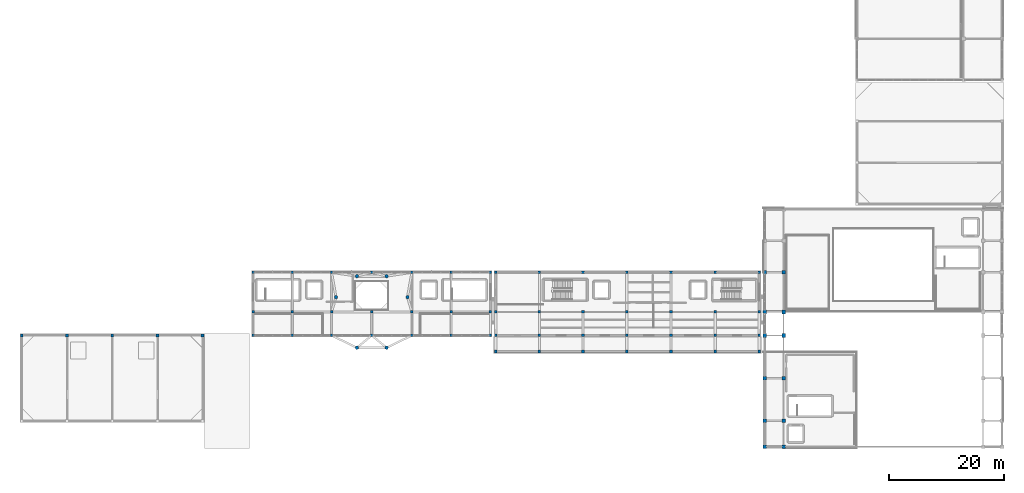
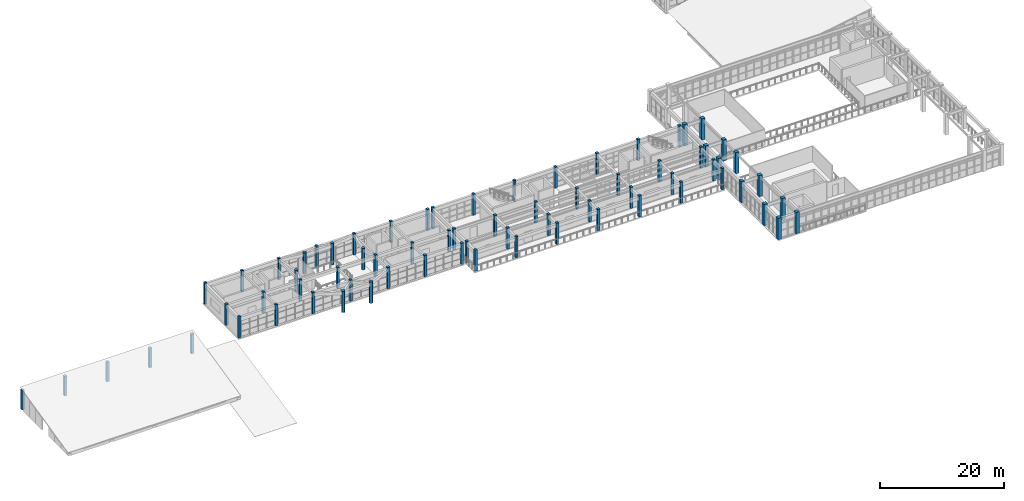
# One storey, part 1 of 66: 72 columns.
"""IFC4 building model written with IfcOpenShell, lengths in metres."""

from ifc_helpers import new_model, si_unit, direction, frame, origin, origin_2d, place, context, subcontext, project, spatial, rectangle, circle, extrude, material, material_profile, profile_set, type_object, element, save


model = new_model("IFC4")

# Units and contexts
model_context = context("Model", 3, precision=1e-05, world=origin(), true_north=direction((0.0, 1.0)))
body_context = subcontext(model_context, "Body", "Model", "MODEL_VIEW")
ifc_project = project(units=[si_unit("LENGTHUNIT", "METRE"), si_unit("AREAUNIT", "SQUARE_METRE"), si_unit("VOLUMEUNIT", "CUBIC_METRE"), si_unit("PLANEANGLEUNIT", "RADIAN"), si_unit("MASSUNIT", "GRAM", prefix="KILO")], contexts=[model_context])

# Site, building, storey
site_placement = place(None, origin())
site = spatial("IfcSite", under=ifc_project, at=site_placement, CompositionType="ELEMENT")
building_placement = place(site_placement, origin())
building = spatial("IfcBuilding", under=site, at=building_placement, Name="Candilejo Ridge Gondola Terminal", CompositionType="ELEMENT")
storey_placement = place(building_placement, frame((0.0, 0.0, 14.39990234375)))
storey = spatial("IfcBuildingStorey", under=building, at=storey_placement, Name="L03", CompositionType="ELEMENT", Elevation=14.39990234375)

# Columns
ifc_material_1 = material(Name="Concrete f'c 35 MPa (C35/45)", Category="concrete")
ifc_material_profile_1 = material_profile(ifc_material_1, rectangle(XDim=0.449951171875, YDim=0.449951171875, at=origin_2d()))
ifc_profile_set_1 = profile_set([ifc_material_profile_1], Name="Concrete f'c 35 MPa (C35/45)")
column_type_1 = type_object("IfcColumnType", Name="STR-COL-RC450", PredefinedType="COLUMN", material=ifc_profile_set_1)
for number, where, z_axis, x_axis, name in (
    (1, (44.64990234375, 25.699951171875, 0.0), (0.0, 0.0, 1.0), (1.0, 0.0, 0.0), "Column V2 L03 X07-Y05"),
    (2, (44.64990234375, 29.800048828125, 0.0), (0.0, 0.0, 1.0), (1.0, 0.0, 0.0), "Column V2 L03 X07-Y06"),
    (3, (44.64990234375, 36.699951171875, 0.0), (0.0, 0.0, 1.0), (1.0, 0.0, 0.0), "Column V2 L03 X07-Y07"),
    (4, (51.5, 25.699951171875, 0.0), (0.0, 0.0, 1.0), (1.0, 0.0, 0.0), "Column V2 L03 X08-Y05"),
    (5, (51.5, 29.800048828125, 0.0), (0.0, 0.0, 1.0), (1.0, 0.0, 0.0), "Column V2 L03 X08-Y06"),
    (6, (51.5, 36.699951171875, 0.0), (0.0, 0.0, 1.0), (1.0, 0.0, 0.0), "Column V2 L03 X08-Y07"),
    (7, (58.35009765625, 25.699951171875, 0.0), (0.0, 0.0, 1.0), (1.0, 0.0, 0.0), "Column V2 L03 X09-Y05"),
    (8, (58.35009765625, 29.800048828125, 0.0), (0.0, 0.0, 1.0), (1.0, 0.0, 0.0), "Column V2 L03 X09-Y06"),
    (9, (58.35009765625, 36.699951171875, 0.0), (0.0, 0.0, 1.0), (1.0, 0.0, 0.0), "Column V2 L03 X09-Y07"),
    (10, (65.35009765625, 25.699951171875, 0.0), (0.0, 0.0, 1.0), (1.0, 0.0, 0.0), "Column V2 L03 X10-Y05"),
    (11, (65.35009765625, 29.800048828125, 0.0), (0.0, 0.0, 1.0), (1.0, 0.0, 0.0), "Column V2 L03 X10-Y06"),
    (12, (65.35009765625, 36.699951171875, 0.0), (0.0, 0.0, 1.0), (1.0, 0.0, 0.0), "Column V2 L03 X10-Y07"),
    (13, (72.35009765625, 25.699951171875, 0.0), (0.0, 0.0, 1.0), (1.0, 0.0, 0.0), "Column V2 L03 X11-Y05"),
    (14, (72.35009765625, 29.800048828125, 0.0), (0.0, 0.0, 1.0), (1.0, 0.0, 0.0), "Column V2 L03 X11-Y06"),
    (15, (72.35009765625, 36.699951171875, 0.0), (0.0, 0.0, 1.0), (1.0, 0.0, 0.0), "Column V2 L03 X11-Y07"),
    (16, (79.199951171875, 25.699951171875, 0.0), (0.0, 0.0, 1.0), (1.0, 0.0, 0.0), "Column V2 L03 X12-Y05"),
    (17, (79.199951171875, 29.800048828125, 0.0), (0.0, 0.0, 1.0), (1.0, 0.0, 0.0), "Column V2 L03 X12-Y06"),
    (18, (79.199951171875, 36.699951171875, 0.0), (0.0, 0.0, 1.0), (1.0, 0.0, 0.0), "Column V2 L03 X12-Y07"),
    (19, (86.050048828125, 25.699951171875, 0.0), (0.0, 0.0, 1.0), (1.0, 0.0, 0.0), "Column V2 L03 X13-Y05"),
    (20, (86.050048828125, 29.800048828125, 0.0), (0.0, 0.0, 1.0), (1.0, 0.0, 0.0), "Column V2 L03 X13-Y06"),
    (21, (86.050048828125, 36.699951171875, 0.0), (0.0, 0.0, 1.0), (1.0, 0.0, 0.0), "Column V2 L03 X13-Y07"),
    (22, (87.0, 22.89990234375, 0.0), (0.0, 0.0, 1.0), (1.0, 0.0, 0.0), "Column V3 L03 X14-Y04"),
    (23, (87.0, 25.699951171875, 0.0), (0.0, 0.0, 1.0), (1.0, 0.0, 0.0), "Column V3 L03 X14-Y05"),
    (24, (87.0, 29.800048828125, 0.0), (0.0, 0.0, 1.0), (1.0, 0.0, 0.0), "Column V3 L03 X14-Y06"),
    (25, (87.0, 36.699951171875, 0.0), (0.0, 0.0, 1.0), (1.0, 0.0, 0.0), "Column V3 L03 X14-Y07"),
    (26, (94.60009765625, 22.89990234375, 0.0), (0.0, 0.0, 1.0), (1.0, 0.0, 0.0), "Column V3 L03 X15-Y04"),
    (27, (94.60009765625, 25.699951171875, 0.0), (0.0, 0.0, 1.0), (1.0, 0.0, 0.0), "Column V3 L03 X15-Y05"),
    (28, (94.60009765625, 29.800048828125, 0.0), (0.0, 0.0, 1.0), (1.0, 0.0, 0.0), "Column V3 L03 X15-Y06"),
    (29, (94.60009765625, 36.699951171875, 0.0), (0.0, 0.0, 1.0), (1.0, 0.0, 0.0), "Column V3 L03 X15-Y07"),
    (30, (102.199951171875, 22.89990234375, 0.0), (0.0, 0.0, 1.0), (1.0, 0.0, 0.0), "Column V3 L03 X16-Y04"),
    (31, (102.199951171875, 25.699951171875, 0.0), (0.0, 0.0, 1.0), (1.0, 0.0, 0.0), "Column V3 L03 X16-Y05"),
    (32, (102.199951171875, 29.800048828125, 0.0), (0.0, 0.0, 1.0), (1.0, 0.0, 0.0), "Column V3 L03 X16-Y06"),
    (33, (102.199951171875, 36.699951171875, 0.0), (0.0, 0.0, 1.0), (1.0, 0.0, 0.0), "Column V3 L03 X16-Y07"),
    (34, (109.85009765625, 22.89990234375, 0.0), (0.0, 0.0, 1.0), (1.0, 0.0, 0.0), "Column V3 L03 X17-Y04"),
    (35, (109.85009765625, 25.699951171875, 0.0), (0.0, 0.0, 1.0), (1.0, 0.0, 0.0), "Column V3 L03 X17-Y05"),
    (36, (109.85009765625, 29.800048828125, 0.0), (0.0, 0.0, 1.0), (1.0, 0.0, 0.0), "Column V3 L03 X17-Y06"),
    (37, (109.85009765625, 36.699951171875, 0.0), (0.0, 0.0, 1.0), (1.0, 0.0, 0.0), "Column V3 L03 X17-Y07"),
    (38, (117.550048828125, 22.89990234375, 0.0), (0.0, 0.0, 1.0), (1.0, 0.0, 0.0), "Column V3 L03 X18-Y04"),
    (39, (117.550048828125, 25.699951171875, 0.0), (0.0, 0.0, 1.0), (1.0, 0.0, 0.0), "Column V3 L03 X18-Y05"),
    (40, (117.550048828125, 29.800048828125, 0.0), (0.0, 0.0, 1.0), (1.0, 0.0, 0.0), "Column V3 L03 X18-Y06"),
    (41, (117.550048828125, 36.699951171875, 0.0), (0.0, 0.0, 1.0), (1.0, 0.0, 0.0), "Column V3 L03 X18-Y07"),
    (42, (125.25, 22.89990234375, 0.0), (0.0, 0.0, 1.0), (1.0, 0.0, 0.0), "Column V3 L03 X19-Y04"),
    (43, (125.25, 25.699951171875, 0.0), (0.0, 0.0, 1.0), (1.0, 0.0, 0.0), "Column V3 L03 X19-Y05"),
    (44, (125.25, 29.800048828125, 0.0), (0.0, 0.0, 1.0), (1.0, 0.0, 0.0), "Column V3 L03 X19-Y06"),
    (45, (125.25, 36.699951171875, 0.0), (0.0, 0.0, 1.0), (1.0, 0.0, 0.0), "Column V3 L03 X19-Y07"),
    (46, (132.949951171875, 22.89990234375, 0.0), (0.0, 0.0, 1.0), (1.0, 0.0, 0.0), "Column V3 L03 X20-Y04"),
    (47, (132.949951171875, 25.699951171875, 0.0), (0.0, 0.0, 1.0), (1.0, 0.0, 0.0), "Column V3 L03 X20-Y05"),
    (48, (132.949951171875, 29.800048828125, 0.0), (0.0, 0.0, 1.0), (1.0, 0.0, 0.0), "Column V3 L03 X20-Y06"),
    (49, (132.949951171875, 36.699951171875, 0.0), (0.0, 0.0, 1.0), (1.0, 0.0, 0.0), "Column V3 L03 X20-Y07"),
):
    element("IfcColumn", number, at=place(storey_placement, frame(where, z_axis=z_axis, x_axis=x_axis)), inside=storey, type_object=column_type_1, Name=name, PredefinedType="COLUMN", context=body_context, shape_type="SweptSolid", body=[
        extrude(rectangle(XDim=0.449951171875, YDim=0.449951171875, at=origin_2d()), origin(), (0.0, 0.0, 1.0), 4.2001953125),
    ])
ifc_material_2 = material(Name="Concrete f'c 35 MPa (C35/45)", Category="concrete")
ifc_material_profile_2 = material_profile(ifc_material_2, rectangle(XDim=0.5, YDim=0.5, at=origin_2d()))
ifc_profile_set_2 = profile_set([ifc_material_profile_2], Name="Concrete f'c 35 MPa (C35/45)")
column_type_2 = type_object("IfcColumnType", Name="STR-COL-RC500", PredefinedType="COLUMN", material=ifc_profile_set_2)
for number, where, z_axis, x_axis, name in (
    (50, (4.300048828125, 25.699951171875, 0.0), (0.0, 0.0, 1.0), (1.0, 0.0, 0.0), "Roof ridge column RF-V1-MAIN-01-N"),
    (51, (12.199951171875, 25.699951171875, 0.0), (0.0, 0.0, 1.0), (1.0, 0.0, 0.0), "Roof ridge column RF-V1-MAIN-02-N"),
    (52, (20.10009765625, 25.699951171875, 0.0), (0.0, 0.0, 1.0), (1.0, 0.0, 0.0), "Roof ridge column RF-V1-MAIN-03-N"),
    (53, (28.0, 25.699951171875, 0.0), (0.0, 0.0, 1.0), (1.0, 0.0, 0.0), "Roof ridge column RF-V1-MAIN-04-N"),
    (54, (35.85009765625, 25.699951171875, 0.0), (0.0, 0.0, 1.0), (1.0, 0.0, 0.0), "Roof ridge column RF-V1-MAIN-05-N"),
):
    element("IfcColumn", number, at=place(storey_placement, frame(where, z_axis=z_axis, x_axis=x_axis)), inside=storey, type_object=column_type_2, Name=name, PredefinedType="COLUMN", context=body_context, shape_type="SweptSolid", body=[
        extrude(rectangle(XDim=0.5, YDim=0.5, at=origin_2d()), origin(), (0.0, 0.0, 1.0), 3.862060546875),
    ])
ifc_material_3 = material(Name="Concrete f'c 35 MPa (C35/45)", Category="concrete")
ifc_material_profile_3 = material_profile(ifc_material_3, rectangle(XDim=0.64990234375, YDim=0.64990234375, at=origin_2d()))
ifc_profile_set_3 = profile_set([ifc_material_profile_3], Name="Concrete f'c 35 MPa (C35/45)")
column_type_3 = type_object("IfcColumnType", Name="STR-COL-RC650", PredefinedType="COLUMN", material=ifc_profile_set_3)
for number, where, z_axis, x_axis, name in (
    (55, (133.89990234375, 6.300048828125, 0.0), (0.0, 0.0, 1.0), (1.0, 0.0, 0.0), "Column V4 L03 X21-Y01"),
    (56, (133.89990234375, 10.800048828125, 0.0), (0.0, 0.0, 1.0), (1.0, 0.0, 0.0), "Column V4 L03 X21-Y02"),
    (57, (133.89990234375, 18.25, 0.0), (0.0, 0.0, 1.0), (1.0, 0.0, 0.0), "Column V4 L03 X21-Y03"),
    (58, (133.89990234375, 25.699951171875, 0.0), (0.0, 0.0, 1.0), (1.0, 0.0, 0.0), "Column V4 L03 X21-Y05"),
    (59, (133.89990234375, 29.800048828125, 0.0), (0.0, 0.0, 1.0), (1.0, 0.0, 0.0), "Column V4 L03 X21-Y06"),
    (60, (133.89990234375, 36.699951171875, 0.0), (0.0, 0.0, 1.0), (1.0, 0.0, 0.0), "Column V4 L03 X21-Y07"),
    (61, (137.199951171875, 6.300048828125, 0.0), (0.0, 0.0, 1.0), (1.0, 0.0, 0.0), "Column V4 L03 X22-Y01"),
    (62, (137.199951171875, 10.800048828125, 0.0), (0.0, 0.0, 1.0), (1.0, 0.0, 0.0), "Column V4 L03 X22-Y02"),
    (63, (137.199951171875, 18.25, 0.0), (0.0, 0.0, 1.0), (1.0, 0.0, 0.0), "Column V4 L03 X22-Y03"),
    (64, (137.199951171875, 25.699951171875, 0.0), (0.0, 0.0, 1.0), (1.0, 0.0, 0.0), "Column V4 L03 X22-Y05"),
    (65, (137.199951171875, 29.800048828125, 0.0), (0.0, 0.0, 1.0), (1.0, 0.0, 0.0), "Column V4 L03 X22-Y06"),
    (66, (137.199951171875, 36.699951171875, 0.0), (0.0, 0.0, 1.0), (1.0, 0.0, 0.0), "Column V4 L03 X22-Y07"),
):
    element("IfcColumn", number, at=place(storey_placement, frame(where, z_axis=z_axis, x_axis=x_axis)), inside=storey, type_object=column_type_3, Name=name, PredefinedType="COLUMN", context=body_context, shape_type="SweptSolid", body=[
        extrude(rectangle(XDim=0.64990234375, YDim=0.64990234375, at=origin_2d()), origin(), (0.0, 0.0, 1.0), 4.2001953125),
    ])
ifc_material_4 = material(Name="Concrete f'c 35 MPa (C35/45)", Category="concrete")
ifc_material_profile_4 = material_profile(ifc_material_4, circle(Radius=0.300048828125, at=origin_2d()))
ifc_profile_set_4 = profile_set([ifc_material_profile_4], Name="Concrete f'c 35 MPa (C35/45)")
column_type_4 = type_object("IfcColumnType", Name="STR-COL-RCD600", PredefinedType="COLUMN", material=ifc_profile_set_4)
for number, where, z_axis, x_axis, name in (
    (67, (71.586181640625, 32.383056640625, 0.0), (0.0, 0.0, 1.0), (1.0, 0.0, 0.0), "Column V2 L03 ROT1-OCT"),
    (68, (67.93310546875, 36.0361328125, 0.0), (0.0, 0.0, 1.0), (1.0, 0.0, 0.0), "Column V2 L03 ROT2-OCT"),
    (69, (62.766845703125, 36.0361328125, 0.0), (0.0, 0.0, 1.0), (1.0, 0.0, 0.0), "Column V2 L03 ROT3-OCT"),
    (70, (59.11376953125, 32.383056640625, 0.0), (0.0, 0.0, 1.0), (1.0, 0.0, 0.0), "Column V2 L03 ROT4-OCT"),
    (71, (62.766845703125, 23.563720703125, 0.0), (0.0, 0.0, 1.0), (1.0, 0.0, 0.0), "Column V2 L03 ROT6-OCT"),
    (72, (67.93310546875, 23.563720703125, 0.0), (0.0, 0.0, 1.0), (1.0, 0.0, 0.0), "Column V2 L03 ROT7-OCT"),
):
    element("IfcColumn", number, at=place(storey_placement, frame(where, z_axis=z_axis, x_axis=x_axis)), inside=storey, type_object=column_type_4, Name=name, PredefinedType="COLUMN", context=body_context, shape_type="SweptSolid", body=[
        extrude(circle(Radius=0.300048828125, at=origin_2d()), origin(), (0.0, 0.0, 1.0), 4.2001953125),
    ])

save(model, "model.ifc")
